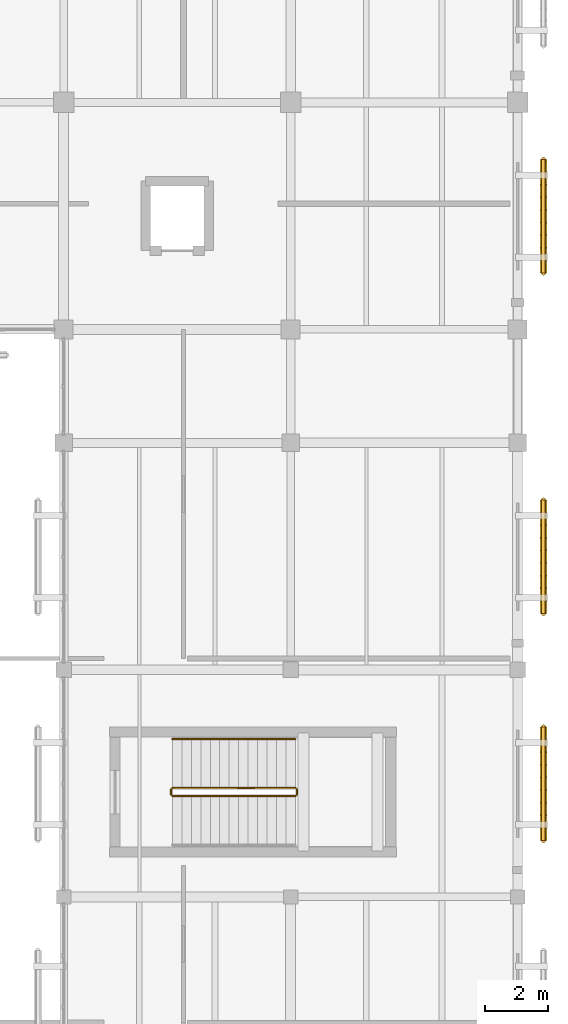
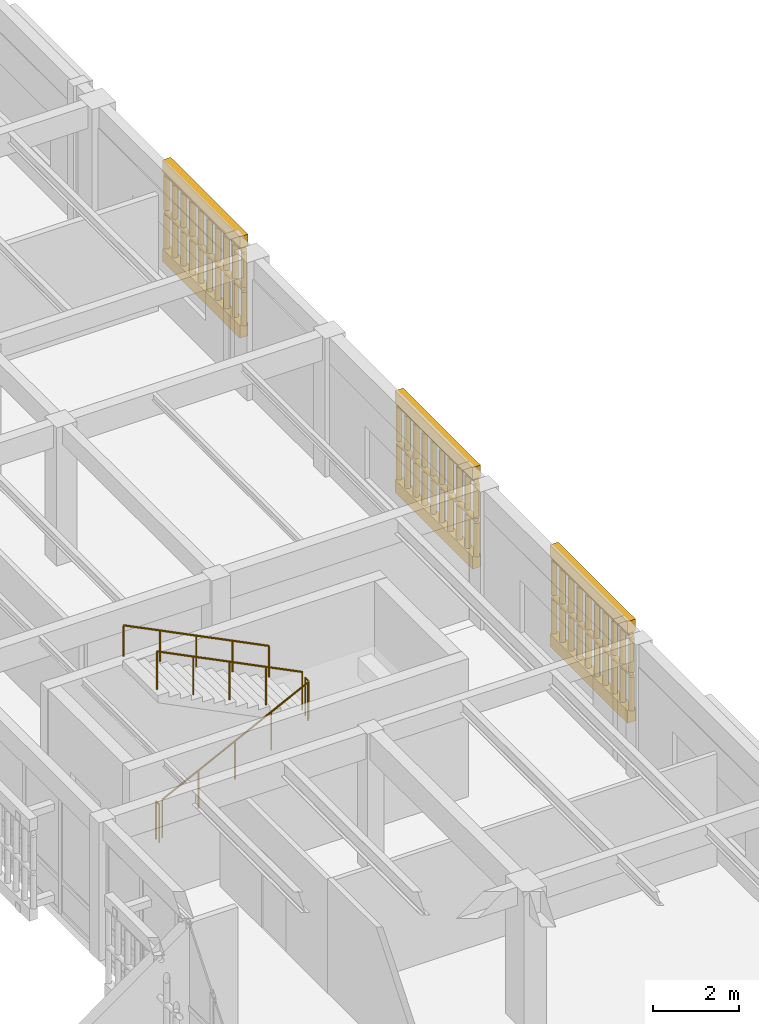
# One storey, part 169 of 170: 11 railings, 6 coverings.
"""IFC4 building model written with IfcOpenShell, lengths in metres."""

import ifcopenshell
import ifcopenshell.guid

model = None  # the IFC model being written
_history = None  # IfcOwnerHistory: only IFC2X3 demands one
_inside = {}  # id of a spatial element -> (the spatial element, [elements in it])
_under = {}  # id of a project, library or spatial element -> (it, [spatial elements below it])
_declared = {}  # id of a project -> (the project, [libraries it declares])
_typed = {}  # id of a type object -> (the type object, [elements of that type])
_made_of = {}  # id of a material, layer set ... -> (it, [elements and type objects made of it])


def new_model(schema):
    """Start an empty IFC model of exactly this schema.

    Asked for "IFC4X3", IfcOpenShell would pick the latest addendum, in which some entities
    have other attributes; the version numbers below select the first issue.
    IFC2X3 requires an IfcOwnerHistory on every rooted entity: one is made here for all.
    """
    global model, _history
    if schema == "IFC4X3":
        model = ifcopenshell.file(schema_version=(4, 3, 0, 0))
    else:
        model = ifcopenshell.file(schema=schema)
    _inside.clear()
    _under.clear()
    _declared.clear()
    _typed.clear()
    _made_of.clear()
    _history = None
    if model.schema == "IFC2X3":
        org = make("IfcOrganization", Name="unknown")
        user = make(
            "IfcPersonAndOrganization",
            ThePerson=make("IfcPerson", FamilyName="unknown"),
            TheOrganization=org,
        )
        app = make(
            "IfcApplication",
            ApplicationDeveloper=org,
            Version="unknown",
            ApplicationFullName="unknown",
            ApplicationIdentifier="unknown",
        )
        _history = make(
            "IfcOwnerHistory",
            OwningUser=user,
            OwningApplication=app,
            ChangeAction="ADDED",
            CreationDate=0,
        )
    return model


def make(cls, **values):
    """One entity of the class cls with the attributes given. An attribute that is None is left unset."""
    return model.create_entity(
        cls, **{name: value for name, value in values.items() if value is not None}
    )


def rooted(cls, **values):
    """An entity with a GlobalId (a new one), such as an element, a storey or a relation."""
    return make(cls, GlobalId=ifcopenshell.guid.new(), OwnerHistory=_history, **values)


def si_unit(unit_type, name, prefix=None):
    """IfcSIUnit, for example si_unit("LENGTHUNIT", "METRE", prefix="MILLI")."""
    return make("IfcSIUnit", UnitType=unit_type, Prefix=prefix, Name=name)


def assignment(units):
    """IfcUnitAssignment: the units of a project."""
    return None if units is None else make("IfcUnitAssignment", Units=units)


def point(xyz):
    """IfcCartesianPoint."""
    return None if xyz is None else make("IfcCartesianPoint", Coordinates=xyz)


def direction(xyz):
    """IfcDirection."""
    return None if xyz is None else make("IfcDirection", DirectionRatios=xyz)


def frame(location, z_axis=None, x_axis=None):
    """IfcAxis2Placement3D, a coordinate frame: its origin and axes. An axis left out is left unset."""
    return make(
        "IfcAxis2Placement3D",
        Location=point(location),
        Axis=direction(z_axis),
        RefDirection=direction(x_axis),
    )


def frame_2d(location, x_axis=None):
    """IfcAxis2Placement2D, a coordinate frame in the plane: its origin and x axis."""
    return make(
        "IfcAxis2Placement2D", Location=point(location), RefDirection=direction(x_axis)
    )


def origin():
    """The frame at (0, 0, 0) with its axes left unset."""
    return frame((0.0, 0.0, 0.0))


def origin_2d():
    """The frame at (0, 0) in the plane with its x axis left unset."""
    return frame_2d((0.0, 0.0))


def place(relative_to, where):
    """IfcLocalPlacement: puts the frame where relative to a parent placement (None: the world)."""
    return make(
        "IfcLocalPlacement", PlacementRelTo=relative_to, RelativePlacement=where
    )


def context(
    kind, dimensions, precision=None, world=None, true_north=None, identifier=None
):
    """IfcGeometricRepresentationContext, for example the 3D "Model" context."""
    return make(
        "IfcGeometricRepresentationContext",
        ContextIdentifier=identifier,
        ContextType=kind,
        CoordinateSpaceDimension=dimensions,
        Precision=precision,
        WorldCoordinateSystem=world,
        TrueNorth=true_north,
    )


def subcontext(parent, identifier, kind, view, scale=None):
    """IfcGeometricRepresentationSubContext, for example "Body" below "Model"."""
    return make(
        "IfcGeometricRepresentationSubContext",
        ContextIdentifier=identifier,
        ContextType=kind,
        ParentContext=parent,
        TargetScale=scale,
        TargetView=view,
    )


def project(units=None, contexts=None):
    """IfcProject with its units and contexts."""
    return rooted(
        "IfcProject",
        Name="project",
        RepresentationContexts=contexts,
        UnitsInContext=assignment(units),
    )


def spatial(cls, under=None, at=None, **own):
    """A site, building, storey or space (cls), placed at a placement, below another one or the project."""
    s = rooted(cls, ObjectPlacement=at, **own)
    if under is not None:
        _under.setdefault(under.id(), (under, []))[1].append(s)
    return s


def polyline(points):
    """IfcPolyline through the points."""
    return make("IfcPolyline", Points=[point(p) for p in points])


def profile(cls, at=None, kind="AREA", **sizes):
    """A parametric profile (cls). Its sizes go by their IFC names, for example OverallWidth=200.0."""
    return make(cls, ProfileType=kind, Position=at, **sizes)


def circle(**sizes):
    """IfcCircleProfileDef."""
    return profile("IfcCircleProfileDef", **sizes)


def outline(outer, holes=None, kind="AREA"):
    """IfcArbitraryClosedProfileDef: a profile drawn as a closed curve; with holes, ...WithVoids."""
    if holes is None:
        return make("IfcArbitraryClosedProfileDef", ProfileType=kind, OuterCurve=outer)
    return make(
        "IfcArbitraryProfileDefWithVoids",
        ProfileType=kind,
        OuterCurve=outer,
        InnerCurves=holes,
    )


def extrude(swept, where, along, depth):
    """IfcExtrudedAreaSolid: the profile swept, set in the frame where, extruded along a direction by depth."""
    return make(
        "IfcExtrudedAreaSolid",
        SweptArea=swept,
        Position=where,
        ExtrudedDirection=direction(along),
        Depth=depth,
    )


def shape(context_of_items, identifier, shape_type, items):
    """IfcShapeRepresentation: the items that make up one representation, for example the "Body"."""
    return make(
        "IfcShapeRepresentation",
        ContextOfItems=context_of_items,
        RepresentationIdentifier=identifier,
        RepresentationType=shape_type,
        Items=items,
    )


def material(Name=None, Category=None):
    """IfcMaterial."""
    return make("IfcMaterial", Name=Name, Category=Category)


def layer(
    of_material, thickness, ventilated=None, Name=None, Category=None, Priority=None
):
    """IfcMaterialLayer: one layer of a wall or slab, of a material (None: an air gap)."""
    return make(
        "IfcMaterialLayer",
        Material=of_material,
        LayerThickness=thickness,
        IsVentilated=ventilated,
        Name=Name,
        Category=Category,
        Priority=Priority,
    )


def layer_set(layers, Name=None):
    """IfcMaterialLayerSet."""
    return make("IfcMaterialLayerSet", MaterialLayers=layers, LayerSetName=Name)


def made_of(thing, what):
    """Note that an element or type object is made of a material, layer set ...; save() writes the relation."""
    if what is not None:
        _made_of.setdefault(what.id(), (what, []))[1].append(thing)
    return thing


def type_object(cls, material=None, **own):
    """A type object (cls), such as IfcWallType, which elements share."""
    return made_of(rooted(cls, **own), material)


def element(
    cls,
    number,
    at=None,
    inside=None,
    cuts=None,
    type_object=None,
    material=None,
    context=None,
    identifier="Body",
    shape_type=None,
    held_by="IfcProductDefinitionShape",
    body=None,
    shapes=None,
    **own,
):
    """One element of the class cls, such as IfcWall. Its Tag is "e" and its number.

    at: its placement. inside: the storey or other place that contains it. cuts: it is an
    opening in that element (IfcRelVoidsElement). A single representation is given by context,
    identifier, shape_type and body (its items); several are given by shapes. held_by: the class
    of the entity that holds the representations. save() writes the other relations.
    """
    e = rooted(cls, Tag="e%d" % number, ObjectPlacement=at, **own)
    if body is not None:
        shapes = [shape(context, identifier, shape_type, body)]
    if shapes is not None:
        e.Representation = make(held_by, Representations=shapes)
    if inside is not None:
        _inside.setdefault(inside.id(), (inside, []))[1].append(e)
    if cuts is not None:
        rooted(
            "IfcRelVoidsElement", RelatingBuildingElement=cuts, RelatedOpeningElement=e
        )
    if type_object is not None:
        _typed.setdefault(type_object.id(), (type_object, []))[1].append(e)
    return made_of(e, material)


def aggregate(whole, parts):
    """IfcRelAggregates: a whole, such as a stair, and the parts it consists of."""
    return rooted("IfcRelAggregates", RelatingObject=whole, RelatedObjects=parts)


def save(model, path):
    """Write the relations noted so far, then the file.

    IfcRelAggregates (storeys below a building ...), IfcRelContainedInSpatialStructure (elements
    in a storey), IfcRelDefinesByType, IfcRelAssociatesMaterial and IfcRelDeclares: one each for
    every whole, place, type object, material and project.
    """
    for whole, parts in _under.values():
        aggregate(whole, parts)
    for where, things in _inside.values():
        rooted(
            "IfcRelContainedInSpatialStructure",
            RelatedElements=things,
            RelatingStructure=where,
        )
    for kind, things in _typed.values():
        rooted("IfcRelDefinesByType", RelatedObjects=things, RelatingType=kind)
    for what, things in _made_of.values():
        rooted("IfcRelAssociatesMaterial", RelatedObjects=things, RelatingMaterial=what)
    for by, libraries in _declared.values():
        rooted("IfcRelDeclares", RelatingContext=by, RelatedDefinitions=libraries)
    model.write(path)


model = new_model("IFC4")

# Units and contexts
model_context = context("Model", 3, precision=1e-05, world=origin(), true_north=direction((0.0, 1.0)))
body_context = subcontext(model_context, "Body", "Model", "MODEL_VIEW")
ifc_project = project(units=[si_unit("LENGTHUNIT", "METRE"), si_unit("AREAUNIT", "SQUARE_METRE"), si_unit("VOLUMEUNIT", "CUBIC_METRE"), si_unit("PLANEANGLEUNIT", "RADIAN"), si_unit("MASSUNIT", "GRAM", prefix="KILO")], contexts=[model_context])

# Site, building, storey
site_placement = place(None, origin())
site = spatial("IfcSite", under=ifc_project, at=site_placement, CompositionType="ELEMENT")
building_placement = place(site_placement, origin())
building = spatial("IfcBuilding", under=site, at=building_placement, Name="Mazaris Harbour Polytechnic", CompositionType="ELEMENT")
storey_placement = place(building_placement, frame((0.0, 0.0, 5.39990234375)))
storey = spatial("IfcBuildingStorey", under=building, at=storey_placement, Name="L01", CompositionType="ELEMENT", Elevation=5.39990234375)

# Railings
ifc_material_1 = material(Name="Perforated Earth-Coloured Terracotta Block", Category="masonry")
railing_type_1 = type_object("IfcRailingType", Name="Perforated Earth-Block Claustra Lattice 1040", PredefinedType="BALUSTRADE", material=ifc_material_1)
for number, where, name in (
    (1, (173.6201171875, 73.78759765625, 0.52001953125), "V5 L01 Lower Perforated Terracotta Block Screen 389"),
    (2, (173.6201171875, 73.78759765625, 1.610107421875), "V5 L01 Upper Perforated Terracotta Block Screen 389"),
    (3, (173.6201171875, 80.987548828125, 0.52001953125), "V5 L01 Lower Perforated Terracotta Block Screen 390"),
    (4, (173.6201171875, 80.987548828125, 1.610107421875), "V5 L01 Upper Perforated Terracotta Block Screen 390"),
    (5, (173.6201171875, 91.78759765625, 0.52001953125), "V5 L01 Lower Perforated Terracotta Block Screen 391"),
    (6, (173.6201171875, 91.78759765625, 1.610107421875), "V5 L01 Upper Perforated Terracotta Block Screen 391"),
):
    element("IfcRailing", number, at=place(storey_placement, frame(where)), inside=storey, type_object=railing_type_1, Name=name, PredefinedType="BALUSTRADE", context=body_context, shape_type="SweptSolid", body=[
        extrude(circle(Radius=0.06982421875, at=origin_2d()), frame((0.0, 0.0, 1.02001953125), z_axis=(0.0, -1.0, 0.0), x_axis=(1.0, 0.0, 0.0)), (0.0, 0.0, 1.0), 3.60009765625),
        extrude(circle(Radius=0.074951171875, at=origin_2d()), origin(), (0.0, 0.0, 1.0), 0.9501953125),
        extrude(circle(Radius=0.074951171875, at=origin_2d()), frame((0.0, -0.39990234375, 0.0)), (0.0, 0.0, 1.0), 0.9501953125),
        extrude(circle(Radius=0.074951171875, at=origin_2d()), frame((0.0, -0.800048828125, 0.0)), (0.0, 0.0, 1.0), 0.9501953125),
        extrude(circle(Radius=0.074951171875, at=origin_2d()), frame((0.0, -1.199951171875, 0.0)), (0.0, 0.0, 1.0), 0.9501953125),
        extrude(circle(Radius=0.074951171875, at=origin_2d()), frame((0.0, -1.60009765625, 0.0)), (0.0, 0.0, 1.0), 0.9501953125),
        extrude(circle(Radius=0.074951171875, at=origin_2d()), frame((0.0, -2.0, 0.0)), (0.0, 0.0, 1.0), 0.9501953125),
        extrude(circle(Radius=0.074951171875, at=origin_2d()), frame((0.0, -2.400146484375, 0.0)), (0.0, 0.0, 1.0), 0.9501953125),
        extrude(circle(Radius=0.074951171875, at=origin_2d()), frame((0.0, -2.800048828125, 0.0)), (0.0, 0.0, 1.0), 0.9501953125),
        extrude(circle(Radius=0.074951171875, at=origin_2d()), frame((0.0, -3.2001953125, 0.0)), (0.0, 0.0, 1.0), 0.9501953125),
        extrude(circle(Radius=0.074951171875, at=origin_2d()), frame((0.0, -3.60009765625, 0.0)), (0.0, 0.0, 1.0), 0.9501953125),
    ])
ifc_material_2 = material(Name="Stainless Steel S355", Category="steel")
railing_type_2 = type_object("IfcRailingType", Name="Stair Wall Handrail 900", PredefinedType="HANDRAIL", material=ifc_material_2)
railing_1_placement = place(storey_placement, frame((165.75, 73.39990234375, 2.25)))
element("IfcRailing", 7, at=railing_1_placement, inside=storey, type_object=railing_type_2, Name="L01 ST10 stair handrail 2", PredefinedType="HANDRAIL", context=body_context, shape_type="SweptSolid", body=[
    extrude(circle(Radius=0.02392578125, at=origin_2d()), frame((0.0, 0.0, 0.8759765625), z_axis=(-0.894404793364, 0.0, 0.447258387967), x_axis=(0.0, -1.0, 0.0)), (0.0, 0.0, 1.0), 4.3603515625),
    extrude(circle(Radius=0.02099609375, at=origin_2d()), origin(), (0.0, 0.0, 1.0), 0.851806640625),
    extrude(circle(Radius=0.02099609375, at=origin_2d()), frame((-0.97509765625, 0.0, 0.487548828125)), (0.0, 0.0, 1.0), 0.851806640625),
    extrude(circle(Radius=0.02099609375, at=origin_2d()), frame((-1.949951171875, 0.0, 0.97509765625)), (0.0, 0.0, 1.0), 0.851806640625),
    extrude(circle(Radius=0.02099609375, at=origin_2d()), frame((-2.9248046875, 0.0, 1.462646484375)), (0.0, 0.0, 1.0), 0.851806640625),
    extrude(circle(Radius=0.02099609375, at=origin_2d()), frame((-3.89990234375, 0.0, 1.9501953125)), (0.0, 0.0, 1.0), 0.851806640625),
])
ifc_material_3 = material(Name="Steel S355", Category="steel")
railing_type_3 = type_object("IfcRailingType", Name="Stair Well Guardrail 1100", PredefinedType="GUARDRAIL", material=ifc_material_3)
railing_2_placement = place(storey_placement, frame((161.85009765625, 71.60009765625, 0.150146484375)))
element("IfcRailing", 8, at=railing_2_placement, inside=storey, type_object=railing_type_3, Name="L01 ST10 stair guard 1", PredefinedType="GUARDRAIL", context=body_context, shape_type="SweptSolid", body=[
    extrude(circle(Radius=0.02392578125, at=origin_2d()), frame((0.0, 0.0, 1.076171875), z_axis=(0.894427191, 0.0, 0.4472135955), x_axis=(0.0, 1.0, 0.0)), (0.0, 0.0, 1.0), 4.360107421875),
    extrude(circle(Radius=0.02099609375, at=origin_2d()), origin(), (0.0, 0.0, 1.0), 1.052001953125),
    extrude(circle(Radius=0.02099609375, at=origin_2d()), frame((0.97509765625, 0.0, 0.487548828125)), (0.0, 0.0, 1.0), 1.052001953125),
    extrude(circle(Radius=0.02099609375, at=origin_2d()), frame((1.949951171875, 0.0, 0.97509765625)), (0.0, 0.0, 1.0), 1.052001953125),
    extrude(circle(Radius=0.02099609375, at=origin_2d()), frame((2.9248046875, 0.0, 1.46240234375)), (0.0, 0.0, 1.0), 1.052001953125),
    extrude(circle(Radius=0.02099609375, at=origin_2d()), frame((3.89990234375, 0.0, 1.949951171875)), (0.0, 0.0, 1.0), 1.052001953125),
])
railing_3_placement = place(storey_placement, frame((165.800048828125, 71.64990234375, 2.10009765625)))
element("IfcRailing", 9, at=railing_3_placement, inside=storey, type_object=railing_type_3, Name="L01 ST10 stair guard 2", PredefinedType="GUARDRAIL", context=body_context, shape_type="SweptSolid", body=[
    extrude(circle(Radius=0.02392578125, at=origin_2d()), frame((0.0, 0.0, 1.076171875), z_axis=(0.0, 1.0, 0.0), x_axis=(-1.0, 0.0, 0.0)), (0.0, 0.0, 1.0), 0.150146484375),
    extrude(circle(Radius=0.02099609375, at=origin_2d()), origin(), (0.0, 0.0, 1.0), 1.052001953125),
    extrude(circle(Radius=0.02099609375, at=origin_2d()), frame((0.0, 0.150146484375, 0.0)), (0.0, 0.0, 1.0), 1.052001953125),
])
railing_4_placement = place(storey_placement, frame((165.75, 71.85009765625, 2.25)))
element("IfcRailing", 10, at=railing_4_placement, inside=storey, type_object=railing_type_3, Name="L01 ST10 stair guard 3", PredefinedType="GUARDRAIL", context=body_context, shape_type="SweptSolid", body=[
    extrude(circle(Radius=0.02392578125, at=origin_2d()), frame((0.0, 0.0, 1.076171875), z_axis=(-0.894404793364, 0.0, 0.447258387967), x_axis=(0.0, -1.0, 0.0)), (0.0, 0.0, 1.0), 4.3603515625),
    extrude(circle(Radius=0.02099609375, at=origin_2d()), origin(), (0.0, 0.0, 1.0), 1.052001953125),
    extrude(circle(Radius=0.02099609375, at=origin_2d()), frame((-0.97509765625, 0.0, 0.487548828125)), (0.0, 0.0, 1.0), 1.052001953125),
    extrude(circle(Radius=0.02099609375, at=origin_2d()), frame((-1.949951171875, 0.0, 0.97509765625)), (0.0, 0.0, 1.0), 1.052001953125),
    extrude(circle(Radius=0.02099609375, at=origin_2d()), frame((-2.9248046875, 0.0, 1.462646484375)), (0.0, 0.0, 1.0), 1.052001953125),
    extrude(circle(Radius=0.02099609375, at=origin_2d()), frame((-3.89990234375, 0.0, 1.9501953125)), (0.0, 0.0, 1.0), 1.052001953125),
])
railing_5_placement = place(storey_placement, frame((161.800048828125, 71.64990234375, 0.0)))
element("IfcRailing", 11, at=railing_5_placement, inside=storey, type_object=railing_type_3, Name="L01 ST10 stair guard 4", PredefinedType="GUARDRAIL", context=body_context, shape_type="SweptSolid", body=[
    extrude(circle(Radius=0.02392578125, at=origin_2d()), frame((0.0, 0.0, 1.076171875), z_axis=(0.0, 1.0, 0.0), x_axis=(-1.0, 0.0, 0.0)), (0.0, 0.0, 1.0), 0.150146484375),
    extrude(circle(Radius=0.02099609375, at=origin_2d()), origin(), (0.0, 0.0, 1.0), 1.052001953125),
    extrude(circle(Radius=0.02099609375, at=origin_2d()), frame((0.0, 0.150146484375, 0.0)), (0.0, 0.0, 1.0), 1.052001953125),
])

# Coverings
ifc_material_4 = material(Name="Perforated Earth-Coloured Terracotta Block", Category="masonry")
ifc_layer = layer(ifc_material_4, 0.219970703125, Name="Perforated Earth-Coloured Terracotta Block")
ifc_layer_set = layer_set([ifc_layer], Name="Perforated Earth-Coloured Terracotta Block")
covering_type = type_object("IfcCoveringType", Name="Terracotta Screen Course Cladding 220", PredefinedType="CLADDING", material=ifc_layer_set)
covering_1_placement = place(storey_placement, frame((0.0, 0.0, 0.16015625)))
element("IfcCovering", 12, at=covering_1_placement, inside=storey, type_object=covering_type, Name="V5 L01 Perforated Screen Sill Course 389", PredefinedType="CLADDING", context=body_context, shape_type="SweptSolid", body=[
    extrude(outline(polyline([(173.510009765625, 73.78759765625), (173.510009765625, 70.1875), (173.72998046875, 70.1875), (173.72998046875, 73.78759765625), (173.510009765625, 73.78759765625)])), origin(), (0.0, 0.0, 1.0), 0.35986328125),
])
covering_2_placement = place(storey_placement, frame((0.0, 0.0, 2.7001953125)))
element("IfcCovering", 13, at=covering_2_placement, inside=storey, type_object=covering_type, Name="V5 L01 Perforated Screen Lintel Course 389", PredefinedType="CLADDING", context=body_context, shape_type="SweptSolid", body=[
    extrude(outline(polyline([(173.510009765625, 73.78759765625), (173.510009765625, 70.1875), (173.72998046875, 70.1875), (173.72998046875, 73.78759765625), (173.510009765625, 73.78759765625)])), origin(), (0.0, 0.0, 1.0), 0.33984375),
])
covering_3_placement = place(storey_placement, frame((0.0, 0.0, 0.16015625)))
element("IfcCovering", 14, at=covering_3_placement, inside=storey, type_object=covering_type, Name="V5 L01 Perforated Screen Sill Course 390", PredefinedType="CLADDING", context=body_context, shape_type="SweptSolid", body=[
    extrude(outline(polyline([(173.510009765625, 80.987548828125), (173.510009765625, 77.387451171875), (173.72998046875, 77.387451171875), (173.72998046875, 80.987548828125), (173.510009765625, 80.987548828125)])), origin(), (0.0, 0.0, 1.0), 0.35986328125),
])
covering_4_placement = place(storey_placement, frame((0.0, 0.0, 2.7001953125)))
element("IfcCovering", 15, at=covering_4_placement, inside=storey, type_object=covering_type, Name="V5 L01 Perforated Screen Lintel Course 390", PredefinedType="CLADDING", context=body_context, shape_type="SweptSolid", body=[
    extrude(outline(polyline([(173.510009765625, 80.987548828125), (173.510009765625, 77.387451171875), (173.72998046875, 77.387451171875), (173.72998046875, 80.987548828125), (173.510009765625, 80.987548828125)])), origin(), (0.0, 0.0, 1.0), 0.33984375),
])
covering_5_placement = place(storey_placement, frame((0.0, 0.0, 0.16015625)))
element("IfcCovering", 16, at=covering_5_placement, inside=storey, type_object=covering_type, Name="V5 L01 Perforated Screen Sill Course 391", PredefinedType="CLADDING", context=body_context, shape_type="SweptSolid", body=[
    extrude(outline(polyline([(173.510009765625, 91.78759765625), (173.510009765625, 88.1875), (173.72998046875, 88.1875), (173.72998046875, 91.78759765625), (173.510009765625, 91.78759765625)])), origin(), (0.0, 0.0, 1.0), 0.35986328125),
])
covering_6_placement = place(storey_placement, frame((0.0, 0.0, 2.7001953125)))
element("IfcCovering", 17, at=covering_6_placement, inside=storey, type_object=covering_type, Name="V5 L01 Perforated Screen Lintel Course 391", PredefinedType="CLADDING", context=body_context, shape_type="SweptSolid", body=[
    extrude(outline(polyline([(173.510009765625, 91.78759765625), (173.510009765625, 88.1875), (173.72998046875, 88.1875), (173.72998046875, 91.78759765625), (173.510009765625, 91.78759765625)])), origin(), (0.0, 0.0, 1.0), 0.33984375),
])

save(model, "model.ifc")
